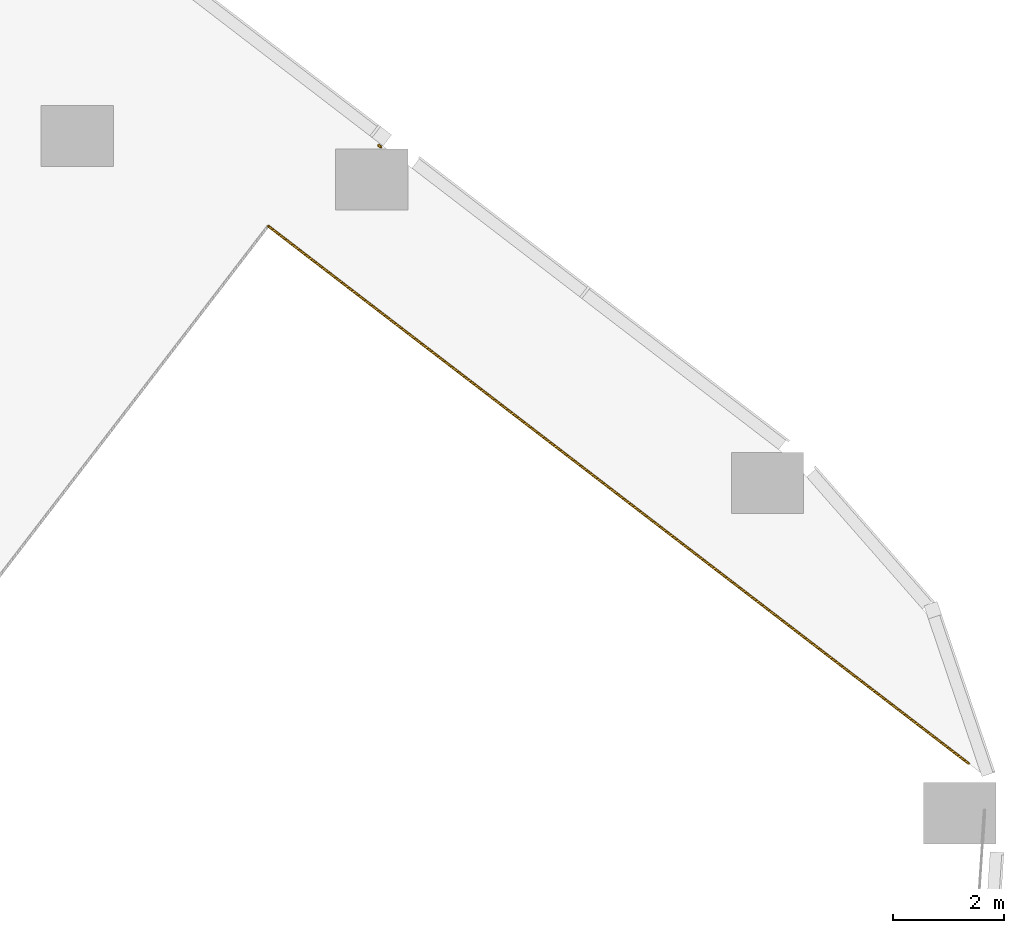
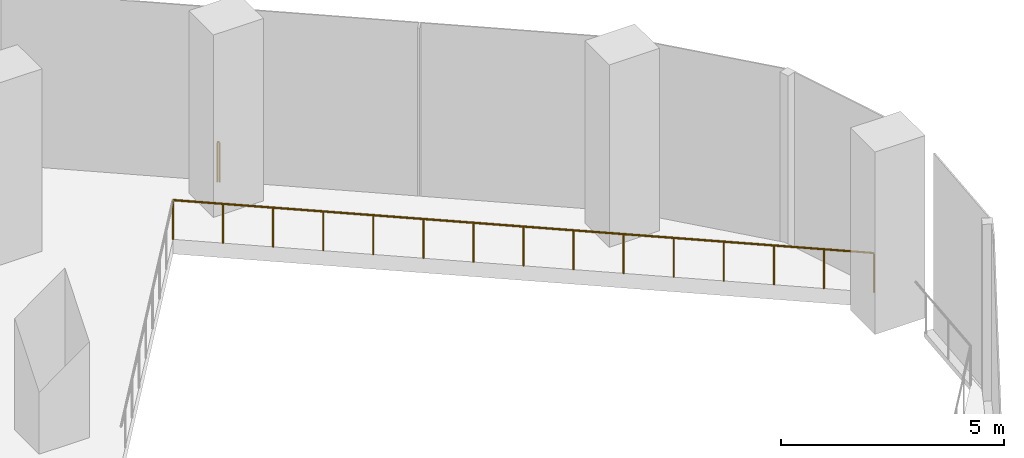
# One storey, part 29 of 29: 2 railings.
"""IFC4 building model written with IfcOpenShell, lengths in metres."""

from ifc_helpers import new_model, si_unit, direction, frame, origin, origin_2d, place, context, subcontext, project, spatial, circle, extrude, material, type_object, element, save


model = new_model("IFC4")

# Units and contexts
model_context = context("Model", 3, precision=1e-05, world=origin(), true_north=direction((0.0, 1.0)))
body_context = subcontext(model_context, "Body", "Model", "MODEL_VIEW")
ifc_project = project(units=[si_unit("LENGTHUNIT", "METRE"), si_unit("AREAUNIT", "SQUARE_METRE"), si_unit("VOLUMEUNIT", "CUBIC_METRE"), si_unit("PLANEANGLEUNIT", "RADIAN"), si_unit("MASSUNIT", "GRAM", prefix="KILO")], contexts=[model_context])

# Site, building, storey
site_placement = place(None, origin())
site = spatial("IfcSite", under=ifc_project, at=site_placement, CompositionType="ELEMENT")
building_placement = place(site_placement, origin())
building = spatial("IfcBuilding", under=site, at=building_placement, Name="Orlundy Tower", CompositionType="ELEMENT")
storey_placement = place(building_placement, frame((0.0, 0.0, 15.5)))
storey = spatial("IfcBuildingStorey", under=building, at=storey_placement, Name="L02", CompositionType="ELEMENT", Elevation=15.5)

# Railings
ifc_material_1 = material(Name="Steel and glass guard", Category="steel")
railing_type_1 = type_object("IfcRailingType", Name="Floor guard 1100", PredefinedType="GUARDRAIL", material=ifc_material_1)
railing_1_placement = place(storey_placement, frame((43.24169921875, -10.99609375, 0.0)))
element("IfcRailing", 1, at=railing_1_placement, inside=storey, type_object=railing_type_1, Name="Guard", PredefinedType="GUARDRAIL", context=body_context, shape_type="SweptSolid", body=[
    extrude(circle(Radius=0.02392578125, at=origin_2d()), frame((0.0, 0.0, 1.076171875), z_axis=(0.793354063197, -0.608760486898, 0.0), x_axis=(0.608760486898, 0.793354063197, 0.0)), (0.0, 0.0, 1.0), 15.875),
    extrude(circle(Radius=0.02099609375, at=origin_2d()), origin(), (0.0, 0.0, 1.0), 1.052001953125),
    extrude(circle(Radius=0.02099609375, at=origin_2d()), frame((0.899658203125, -0.690185546875, 0.0)), (0.0, 0.0, 1.0), 1.052001953125),
    extrude(circle(Radius=0.02099609375, at=origin_2d()), frame((1.79931640625, -1.380615234375, 0.0)), (0.0, 0.0, 1.0), 1.052001953125),
    extrude(circle(Radius=0.02099609375, at=origin_2d()), frame((2.69873046875, -2.07080078125, 0.0)), (0.0, 0.0, 1.0), 1.052001953125),
    extrude(circle(Radius=0.02099609375, at=origin_2d()), frame((3.598388671875, -2.76123046875, 0.0)), (0.0, 0.0, 1.0), 1.052001953125),
    extrude(circle(Radius=0.02099609375, at=origin_2d()), frame((4.498046875, -3.451416015625, 0.0)), (0.0, 0.0, 1.0), 1.052001953125),
    extrude(circle(Radius=0.02099609375, at=origin_2d()), frame((5.397705078125, -4.141845703125, 0.0)), (0.0, 0.0, 1.0), 1.052001953125),
    extrude(circle(Radius=0.02099609375, at=origin_2d()), frame((6.29736328125, -4.83203125, 0.0)), (0.0, 0.0, 1.0), 1.052001953125),
    extrude(circle(Radius=0.02099609375, at=origin_2d()), frame((7.19677734375, -5.522216796875, 0.0)), (0.0, 0.0, 1.0), 1.052001953125),
    extrude(circle(Radius=0.02099609375, at=origin_2d()), frame((8.096435546875, -6.212646484375, 0.0)), (0.0, 0.0, 1.0), 1.052001953125),
    extrude(circle(Radius=0.02099609375, at=origin_2d()), frame((8.99609375, -6.90283203125, 0.0)), (0.0, 0.0, 1.0), 1.052001953125),
    extrude(circle(Radius=0.02099609375, at=origin_2d()), frame((9.895751953125, -7.59326171875, 0.0)), (0.0, 0.0, 1.0), 1.052001953125),
    extrude(circle(Radius=0.02099609375, at=origin_2d()), frame((10.795166015625, -8.283447265625, 0.0)), (0.0, 0.0, 1.0), 1.052001953125),
    extrude(circle(Radius=0.02099609375, at=origin_2d()), frame((11.69482421875, -8.973876953125, 0.0)), (0.0, 0.0, 1.0), 1.052001953125),
    extrude(circle(Radius=0.02099609375, at=origin_2d()), frame((12.594482421875, -9.6640625, 0.0)), (0.0, 0.0, 1.0), 1.052001953125),
])
ifc_material_2 = material(Name="Stainless steel bronze finish", Category="steel")
railing_type_2 = type_object("IfcRailingType", Name="TG1 terrace guard", PredefinedType="GUARDRAIL", material=ifc_material_2)
railing_2_placement = place(storey_placement, frame((45.22509765625, -9.54345703125, 0.0)))
element("IfcRailing", 2, at=railing_2_placement, inside=storey, type_object=railing_type_2, Name="Guard TG-L02-E00", PredefinedType="GUARDRAIL", context=body_context, shape_type="SweptSolid", body=[
    extrude(circle(Radius=0.02490234375, at=origin_2d()), frame((0.0, 0.0, 1.09521484375), z_axis=(0.794105919742, -0.607779391087, 0.0), x_axis=(0.607779391087, 0.794105919742, 0.0)), (0.0, 0.0, 1.0), 0.054931640625),
    extrude(circle(Radius=0.02001953125, at=origin_2d()), origin(), (0.0, 0.0, 1.0), 1.070068359375),
    extrude(circle(Radius=0.02001953125, at=origin_2d()), frame((0.043701171875, -0.033447265625, 0.0)), (0.0, 0.0, 1.0), 1.070068359375),
])

save(model, "model.ifc")
